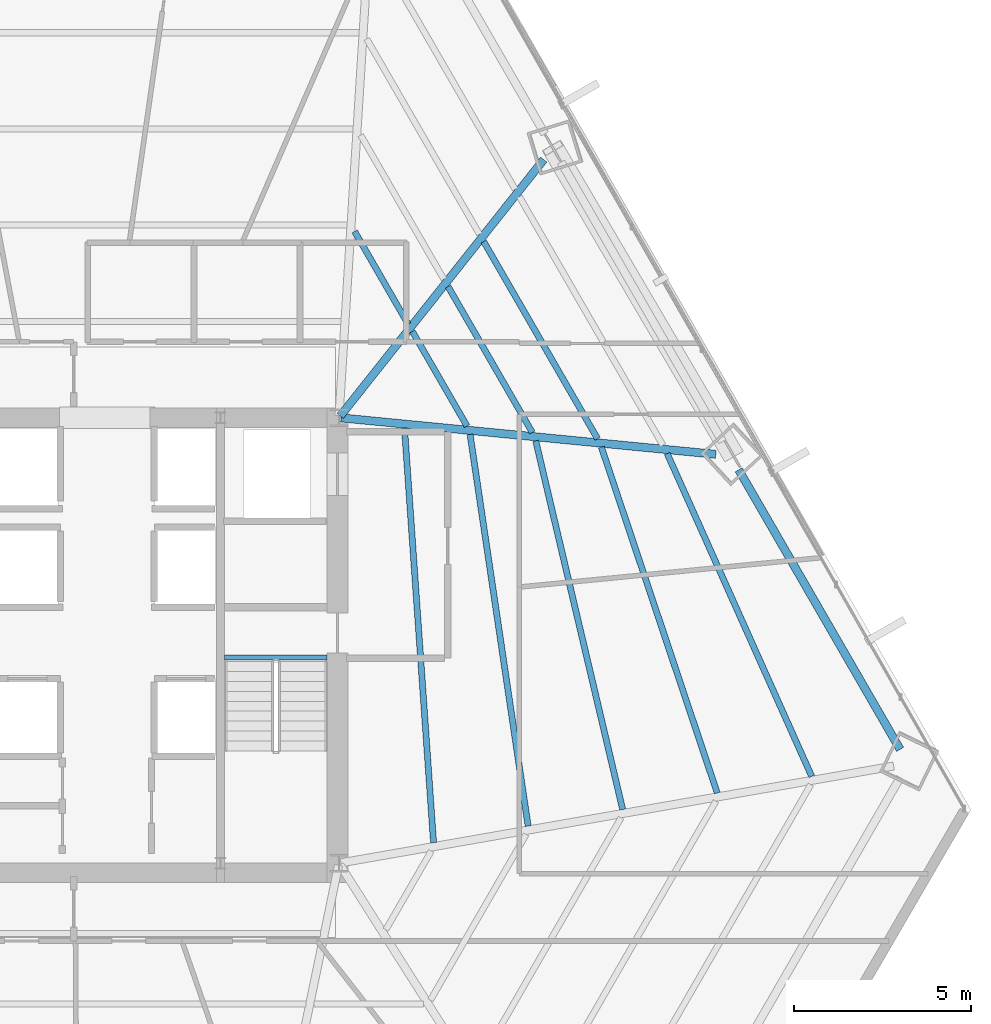
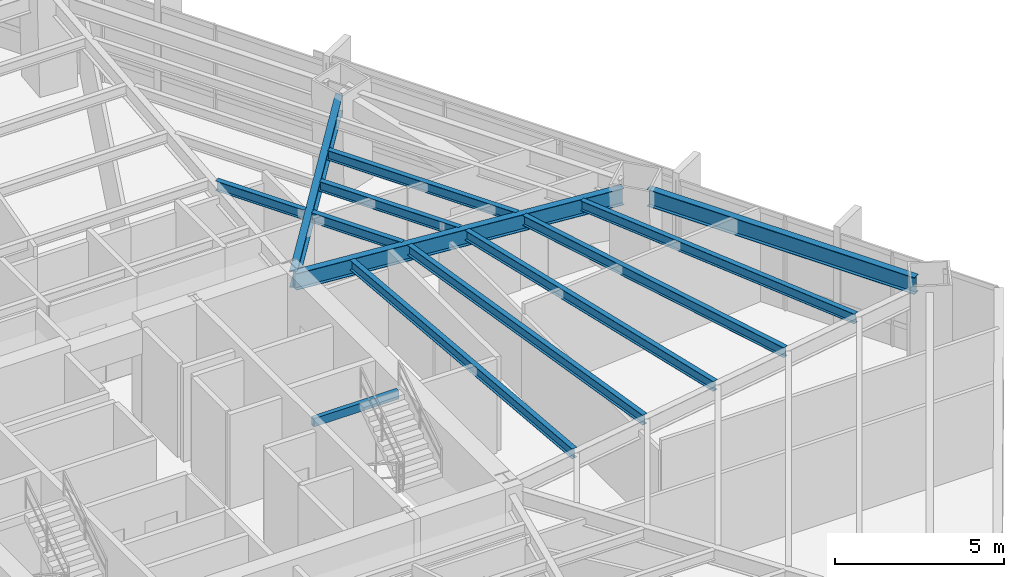
# One storey, part 20 of 34: 13 beams.
"""IFC4 building model written with IfcOpenShell, lengths in metres."""

import ifcopenshell
import ifcopenshell.guid

model = None  # the IFC model being written
_history = None  # IfcOwnerHistory: only IFC2X3 demands one
_inside = {}  # id of a spatial element -> (the spatial element, [elements in it])
_under = {}  # id of a project, library or spatial element -> (it, [spatial elements below it])
_declared = {}  # id of a project -> (the project, [libraries it declares])
_typed = {}  # id of a type object -> (the type object, [elements of that type])
_made_of = {}  # id of a material, layer set ... -> (it, [elements and type objects made of it])


def new_model(schema):
    """Start an empty IFC model of exactly this schema.

    Asked for "IFC4X3", IfcOpenShell would pick the latest addendum, in which some entities
    have other attributes; the version numbers below select the first issue.
    IFC2X3 requires an IfcOwnerHistory on every rooted entity: one is made here for all.
    """
    global model, _history
    if schema == "IFC4X3":
        model = ifcopenshell.file(schema_version=(4, 3, 0, 0))
    else:
        model = ifcopenshell.file(schema=schema)
    _inside.clear()
    _under.clear()
    _declared.clear()
    _typed.clear()
    _made_of.clear()
    _history = None
    if model.schema == "IFC2X3":
        org = make("IfcOrganization", Name="unknown")
        user = make(
            "IfcPersonAndOrganization",
            ThePerson=make("IfcPerson", FamilyName="unknown"),
            TheOrganization=org,
        )
        app = make(
            "IfcApplication",
            ApplicationDeveloper=org,
            Version="unknown",
            ApplicationFullName="unknown",
            ApplicationIdentifier="unknown",
        )
        _history = make(
            "IfcOwnerHistory",
            OwningUser=user,
            OwningApplication=app,
            ChangeAction="ADDED",
            CreationDate=0,
        )
    return model


def make(cls, **values):
    """One entity of the class cls with the attributes given. An attribute that is None is left unset."""
    return model.create_entity(
        cls, **{name: value for name, value in values.items() if value is not None}
    )


def rooted(cls, **values):
    """An entity with a GlobalId (a new one), such as an element, a storey or a relation."""
    return make(cls, GlobalId=ifcopenshell.guid.new(), OwnerHistory=_history, **values)


def si_unit(unit_type, name, prefix=None):
    """IfcSIUnit, for example si_unit("LENGTHUNIT", "METRE", prefix="MILLI")."""
    return make("IfcSIUnit", UnitType=unit_type, Prefix=prefix, Name=name)


def assignment(units):
    """IfcUnitAssignment: the units of a project."""
    return None if units is None else make("IfcUnitAssignment", Units=units)


def point(xyz):
    """IfcCartesianPoint."""
    return None if xyz is None else make("IfcCartesianPoint", Coordinates=xyz)


def direction(xyz):
    """IfcDirection."""
    return None if xyz is None else make("IfcDirection", DirectionRatios=xyz)


def frame(location, z_axis=None, x_axis=None):
    """IfcAxis2Placement3D, a coordinate frame: its origin and axes. An axis left out is left unset."""
    return make(
        "IfcAxis2Placement3D",
        Location=point(location),
        Axis=direction(z_axis),
        RefDirection=direction(x_axis),
    )


def frame_2d(location, x_axis=None):
    """IfcAxis2Placement2D, a coordinate frame in the plane: its origin and x axis."""
    return make(
        "IfcAxis2Placement2D", Location=point(location), RefDirection=direction(x_axis)
    )


def origin():
    """The frame at (0, 0, 0) with its axes left unset."""
    return frame((0.0, 0.0, 0.0))


def origin_2d():
    """The frame at (0, 0) in the plane with its x axis left unset."""
    return frame_2d((0.0, 0.0))


def place(relative_to, where):
    """IfcLocalPlacement: puts the frame where relative to a parent placement (None: the world)."""
    return make(
        "IfcLocalPlacement", PlacementRelTo=relative_to, RelativePlacement=where
    )


def context(
    kind, dimensions, precision=None, world=None, true_north=None, identifier=None
):
    """IfcGeometricRepresentationContext, for example the 3D "Model" context."""
    return make(
        "IfcGeometricRepresentationContext",
        ContextIdentifier=identifier,
        ContextType=kind,
        CoordinateSpaceDimension=dimensions,
        Precision=precision,
        WorldCoordinateSystem=world,
        TrueNorth=true_north,
    )


def subcontext(parent, identifier, kind, view, scale=None):
    """IfcGeometricRepresentationSubContext, for example "Body" below "Model"."""
    return make(
        "IfcGeometricRepresentationSubContext",
        ContextIdentifier=identifier,
        ContextType=kind,
        ParentContext=parent,
        TargetScale=scale,
        TargetView=view,
    )


def project(units=None, contexts=None):
    """IfcProject with its units and contexts."""
    return rooted(
        "IfcProject",
        Name="project",
        RepresentationContexts=contexts,
        UnitsInContext=assignment(units),
    )


def spatial(cls, under=None, at=None, **own):
    """A site, building, storey or space (cls), placed at a placement, below another one or the project."""
    s = rooted(cls, ObjectPlacement=at, **own)
    if under is not None:
        _under.setdefault(under.id(), (under, []))[1].append(s)
    return s


def profile(cls, at=None, kind="AREA", **sizes):
    """A parametric profile (cls). Its sizes go by their IFC names, for example OverallWidth=200.0."""
    return make(cls, ProfileType=kind, Position=at, **sizes)


def hollow_rectangle(**sizes):
    """IfcRectangleHollowProfileDef."""
    return profile("IfcRectangleHollowProfileDef", **sizes)


def i_section(**sizes):
    """IfcIShapeProfileDef."""
    return profile("IfcIShapeProfileDef", **sizes)


def extrude(swept, where, along, depth):
    """IfcExtrudedAreaSolid: the profile swept, set in the frame where, extruded along a direction by depth."""
    return make(
        "IfcExtrudedAreaSolid",
        SweptArea=swept,
        Position=where,
        ExtrudedDirection=direction(along),
        Depth=depth,
    )


def shape(context_of_items, identifier, shape_type, items):
    """IfcShapeRepresentation: the items that make up one representation, for example the "Body"."""
    return make(
        "IfcShapeRepresentation",
        ContextOfItems=context_of_items,
        RepresentationIdentifier=identifier,
        RepresentationType=shape_type,
        Items=items,
    )


def source(mapping_origin, context_of_items, identifier, shape_type, items):
    """IfcRepresentationMap: a shape defined once, which mapped items show again and again."""
    return make(
        "IfcRepresentationMap",
        MappingOrigin=mapping_origin,
        MappedRepresentation=shape(context_of_items, identifier, shape_type, items),
    )


def transform(
    local_origin,
    x_axis=None,
    y_axis=None,
    z_axis=None,
    scale=None,
    scale2=None,
    scale3=None,
    uniform=True,
):
    """IfcCartesianTransformationOperator3D, or its non-uniform kind. x_axis, y_axis, z_axis: its Axis1, 2, 3."""
    if uniform:
        return make(
            "IfcCartesianTransformationOperator3D",
            Axis1=direction(x_axis),
            Axis2=direction(y_axis),
            LocalOrigin=point(local_origin),
            Scale=scale,
            Axis3=direction(z_axis),
        )
    return make(
        "IfcCartesianTransformationOperator3DnonUniform",
        Axis1=direction(x_axis),
        Axis2=direction(y_axis),
        LocalOrigin=point(local_origin),
        Scale=scale,
        Axis3=direction(z_axis),
        Scale2=scale2,
        Scale3=scale3,
    )


def mapped(mapping_source, mapping_target):
    """IfcMappedItem: shows the shape of a source again, moved by a transform."""
    return make(
        "IfcMappedItem", MappingSource=mapping_source, MappingTarget=mapping_target
    )


def material(Name=None, Category=None):
    """IfcMaterial."""
    return make("IfcMaterial", Name=Name, Category=Category)


def material_profile(
    of_material, cross_section, Name=None, Category=None, Priority=None
):
    """IfcMaterialProfile: a cross section and its material."""
    return make(
        "IfcMaterialProfile",
        Name=Name,
        Material=of_material,
        Profile=cross_section,
        Priority=Priority,
        Category=Category,
    )


def profile_set(profiles, Name=None, composite=None):
    """IfcMaterialProfileSet."""
    return make(
        "IfcMaterialProfileSet",
        Name=Name,
        MaterialProfiles=profiles,
        CompositeProfile=composite,
    )


def made_of(thing, what):
    """Note that an element or type object is made of a material, layer set ...; save() writes the relation."""
    if what is not None:
        _made_of.setdefault(what.id(), (what, []))[1].append(thing)
    return thing


def type_object(cls, material=None, **own):
    """A type object (cls), such as IfcWallType, which elements share."""
    return made_of(rooted(cls, **own), material)


def type_shapes(of_type, sources):
    """Give a type object the sources (RepresentationMaps) that its elements show as mapped items."""
    of_type.RepresentationMaps = sources


def element(
    cls,
    number,
    at=None,
    inside=None,
    cuts=None,
    type_object=None,
    material=None,
    context=None,
    identifier="Body",
    shape_type=None,
    held_by="IfcProductDefinitionShape",
    body=None,
    shapes=None,
    **own,
):
    """One element of the class cls, such as IfcWall. Its Tag is "e" and its number.

    at: its placement. inside: the storey or other place that contains it. cuts: it is an
    opening in that element (IfcRelVoidsElement). A single representation is given by context,
    identifier, shape_type and body (its items); several are given by shapes. held_by: the class
    of the entity that holds the representations. save() writes the other relations.
    """
    e = rooted(cls, Tag="e%d" % number, ObjectPlacement=at, **own)
    if body is not None:
        shapes = [shape(context, identifier, shape_type, body)]
    if shapes is not None:
        e.Representation = make(held_by, Representations=shapes)
    if inside is not None:
        _inside.setdefault(inside.id(), (inside, []))[1].append(e)
    if cuts is not None:
        rooted(
            "IfcRelVoidsElement", RelatingBuildingElement=cuts, RelatedOpeningElement=e
        )
    if type_object is not None:
        _typed.setdefault(type_object.id(), (type_object, []))[1].append(e)
    return made_of(e, material)


def aggregate(whole, parts):
    """IfcRelAggregates: a whole, such as a stair, and the parts it consists of."""
    return rooted("IfcRelAggregates", RelatingObject=whole, RelatedObjects=parts)


def save(model, path):
    """Write the relations noted so far, then the file.

    IfcRelAggregates (storeys below a building ...), IfcRelContainedInSpatialStructure (elements
    in a storey), IfcRelDefinesByType, IfcRelAssociatesMaterial and IfcRelDeclares: one each for
    every whole, place, type object, material and project.
    """
    for whole, parts in _under.values():
        aggregate(whole, parts)
    for where, things in _inside.values():
        rooted(
            "IfcRelContainedInSpatialStructure",
            RelatedElements=things,
            RelatingStructure=where,
        )
    for kind, things in _typed.values():
        rooted("IfcRelDefinesByType", RelatedObjects=things, RelatingType=kind)
    for what, things in _made_of.values():
        rooted("IfcRelAssociatesMaterial", RelatedObjects=things, RelatingMaterial=what)
    for by, libraries in _declared.values():
        rooted("IfcRelDeclares", RelatingContext=by, RelatedDefinitions=libraries)
    model.write(path)


model = new_model("IFC4")

# Units and contexts
model_context = context("Model", 3, precision=1e-05, world=origin(), true_north=direction((0.0, 1.0)))
body_context = subcontext(model_context, "Body", "Model", "MODEL_VIEW")
ifc_project = project(units=[si_unit("LENGTHUNIT", "METRE"), si_unit("AREAUNIT", "SQUARE_METRE"), si_unit("VOLUMEUNIT", "CUBIC_METRE"), si_unit("PLANEANGLEUNIT", "RADIAN"), si_unit("MASSUNIT", "GRAM", prefix="KILO")], contexts=[model_context])

# Site, building, storey
site_placement = place(None, origin())
site = spatial("IfcSite", under=ifc_project, at=site_placement, CompositionType="ELEMENT")
building_placement = place(site_placement, origin())
building = spatial("IfcBuilding", under=site, at=building_placement, Name="Caelisora Broadcast Tower", CompositionType="ELEMENT")
storey_placement = place(building_placement, frame((0.0, 0.0, 56.800048828125)))
storey = spatial("IfcBuildingStorey", under=building, at=storey_placement, Name="L14", CompositionType="ELEMENT", Elevation=56.800048828125)

# Beams
ifc_material_1 = material(Name="Steel Grade 350 (AS/NZS 1163 C350L0)", Category="steel")
ifc_material_profile_1 = material_profile(ifc_material_1, hollow_rectangle(XDim=0.14990234375, YDim=0.300048828125, WallThickness=0.010009765625, at=origin_2d()), Name="Steel Grade 350 (AS/NZS 1163 C350L0)")
ifc_profile_set_1 = profile_set([ifc_material_profile_1], Name="Steel Grade 350 (AS/NZS 1163 C350L0)")
beam_type_1 = type_object("IfcBeamType", Name="SB05", PredefinedType="JOIST", material=ifc_profile_set_1)
shared_shape_1 = source(origin(), body_context, "Body", "SweptSolid", [
    extrude(hollow_rectangle(XDim=0.14990234375, YDim=0.300048828125, WallThickness=0.010009765625, at=origin_2d()), origin(), (0.0, 0.0, 1.0), 2.89990234375),
])
type_shapes(beam_type_1, [shared_shape_1])
beam_1_placement = place(storey_placement, frame((42.260009765625, 23.219970703125, 3.25), z_axis=(1.0, 0.0, 0.0), x_axis=(0.0, 1.0, 0.0)))
element("IfcBeam", 1, at=beam_1_placement, inside=storey, type_object=beam_type_1, Name="L14 beam SB05", PredefinedType="JOIST", context=body_context, shape_type="MappedRepresentation", body=[
    mapped(shared_shape_1, transform((0.0, 0.0, 0.0), scale=1.0)),
])
ifc_material_2 = material(Name="Steel Grade 350 (AS/NZS 3679.1)", Category="steel")
ifc_material_profile_2 = material_profile(ifc_material_2, i_section(OverallWidth=0.22900390625, OverallDepth=0.611572265625, WebThickness=0.011962890625, FlangeThickness=0.01953125, at=origin_2d()), Name="Steel Grade 350 (AS/NZS 3679.1)")
ifc_profile_set_2 = profile_set([ifc_material_profile_2], Name="Steel Grade 350 (AS/NZS 3679.1)")
beam_type_2 = type_object("IfcBeamType", Name="PG03", PredefinedType="BEAM", material=ifc_profile_set_2)
shared_shape_2 = source(origin(), body_context, "Body", "SweptSolid", [
    extrude(i_section(OverallWidth=0.22900390625, OverallDepth=0.611572265625, WebThickness=0.011962890625, FlangeThickness=0.01953125, at=origin_2d()), origin(), (0.0, 0.0, 1.0), 9.129638671875),
])
type_shapes(beam_type_2, [shared_shape_2])
beam_2_placement = place(storey_placement, frame((61.37158203125, 20.617919921875, 3.09423828125), z_axis=(-0.500010259273, 0.866019480509, 0.0), x_axis=(-0.866019480509, -0.500010259273, 0.0)))
element("IfcBeam", 2, at=beam_2_placement, inside=storey, type_object=beam_type_2, Name="L14 beam PG03", PredefinedType="BEAM", context=body_context, shape_type="MappedRepresentation", body=[
    mapped(shared_shape_2, transform((0.0, 0.0, 0.0), scale=1.0)),
])
ifc_material_profile_3 = material_profile(ifc_material_2, i_section(OverallWidth=0.22802734375, OverallDepth=0.602294921875, WebThickness=0.010498046875, FlangeThickness=0.014892578125, at=origin_2d()), Name="Steel Grade 350 (AS/NZS 3679.1)")
ifc_profile_set_3 = profile_set([ifc_material_profile_3], Name="Steel Grade 350 (AS/NZS 3679.1)")
beam_type_3 = type_object("IfcBeamType", Name="PG04", PredefinedType="BEAM", material=ifc_profile_set_3)
shared_shape_3 = source(origin(), body_context, "Body", "SweptSolid", [
    extrude(i_section(OverallWidth=0.22802734375, OverallDepth=0.602294921875, WebThickness=0.010498046875, FlangeThickness=0.014892578125, at=origin_2d()), origin(), (0.0, 0.0, 1.0), 9.255615234375),
])
beam_3_placement = place(storey_placement, frame((45.537353515625, 30.047119140625, 3.098876953125), z_axis=(0.621592351282, 0.783340889286, 0.0), x_axis=(-0.783340889286, 0.621592351282, 0.0)))
element("IfcBeam", 3, at=beam_3_placement, inside=storey, type_object=beam_type_3, Name="L14 beam PG04", PredefinedType="BEAM", context=body_context, shape_type="MappedRepresentation", body=[
    mapped(shared_shape_3, transform((0.0, 0.0, 0.0), scale=1.0)),
])
shared_shape_4 = source(origin(), body_context, "Body", "SweptSolid", [
    extrude(i_section(OverallWidth=0.22802734375, OverallDepth=0.602294921875, WebThickness=0.010498046875, FlangeThickness=0.014892578125, at=origin_2d()), origin(), (0.0, 0.0, 1.0), 10.64892578125),
])
type_shapes(beam_type_3, [shared_shape_3, shared_shape_4])
beam_4_placement = place(storey_placement, frame((45.559814453125, 29.994140625, 3.098876953125), z_axis=(0.995304309224, -0.096795310012, 0.0), x_axis=(0.096795310012, 0.995304309224, 0.0)))
element("IfcBeam", 4, at=beam_4_placement, inside=storey, type_object=beam_type_3, Name="L14 beam PG04", PredefinedType="BEAM", context=body_context, shape_type="MappedRepresentation", body=[
    mapped(shared_shape_4, transform((0.0, 0.0, 0.0), scale=1.0)),
])
ifc_material_profile_4 = material_profile(ifc_material_2, i_section(OverallWidth=0.172119140625, OverallDepth=0.358642578125, WebThickness=0.008056640625, FlangeThickness=0.012939453125, at=origin_2d()), Name="Steel Grade 350 (AS/NZS 3679.1)")
ifc_profile_set_4 = profile_set([ifc_material_profile_4], Name="Steel Grade 350 (AS/NZS 3679.1)")
beam_type_4 = type_object("IfcBeamType", Name="SB02", PredefinedType="JOIST", material=ifc_profile_set_4)
shared_shape_5 = source(origin(), body_context, "Body", "SweptSolid", [
    extrude(i_section(OverallWidth=0.172119140625, OverallDepth=0.358642578125, WebThickness=0.008056640625, FlangeThickness=0.012939453125, at=origin_2d()), origin(), (0.0, 0.0, 1.0), 3.02734375),
])
beam_5_placement = place(storey_placement, frame((47.45751953125, 32.645751953125, 3.220703125), z_axis=(-0.499990048099, 0.866031149441, 0.0), x_axis=(-0.866031149441, -0.499990048099, 0.0)))
element("IfcBeam", 5, at=beam_5_placement, inside=storey, type_object=beam_type_4, Name="L14 beam SB02", PredefinedType="JOIST", context=body_context, shape_type="MappedRepresentation", body=[
    mapped(shared_shape_5, transform((0.0, 0.0, 0.0), scale=1.0)),
])
shared_shape_6 = source(origin(), body_context, "Body", "SweptSolid", [
    extrude(i_section(OverallWidth=0.172119140625, OverallDepth=0.358642578125, WebThickness=0.008056640625, FlangeThickness=0.012939453125, at=origin_2d()), origin(), (0.0, 0.0, 1.0), 3.093505859375),
])
beam_6_placement = place(storey_placement, frame((49.123779296875, 29.759765625, 3.220703125), z_axis=(-0.500043533946, 0.86600026799, 0.0), x_axis=(-0.86600026799, -0.500043533946, 0.0)))
element("IfcBeam", 6, at=beam_6_placement, inside=storey, type_object=beam_type_4, Name="L14 beam SB02", PredefinedType="JOIST", context=body_context, shape_type="MappedRepresentation", body=[
    mapped(shared_shape_6, transform((0.0, 0.0, 0.0), scale=1.0)),
])
shared_shape_7 = source(origin(), body_context, "Body", "SweptSolid", [
    extrude(i_section(OverallWidth=0.172119140625, OverallDepth=0.358642578125, WebThickness=0.008056640625, FlangeThickness=0.012939453125, at=origin_2d()), origin(), (0.0, 0.0, 1.0), 4.768310546875),
])
beam_7_placement = place(storey_placement, frame((50.9697265625, 29.580078125, 3.220703125), z_axis=(-0.499966215292, 0.866044908516, 0.0), x_axis=(-0.866044908516, -0.499966215292, 0.0)))
element("IfcBeam", 7, at=beam_7_placement, inside=storey, type_object=beam_type_4, Name="L14 beam SB02", PredefinedType="JOIST", context=body_context, shape_type="MappedRepresentation", body=[
    mapped(shared_shape_7, transform((0.0, 0.0, 0.0), scale=1.0)),
])
shared_shape_8 = source(origin(), body_context, "Body", "SweptSolid", [
    extrude(i_section(OverallWidth=0.172119140625, OverallDepth=0.358642578125, WebThickness=0.008056640625, FlangeThickness=0.012939453125, at=origin_2d()), origin(), (0.0, 0.0, 1.0), 6.443359375),
])
beam_8_placement = place(storey_placement, frame((52.81591796875, 29.400634765625, 3.220703125), z_axis=(-0.500002337291, 0.866024054344, 0.0), x_axis=(-0.866024054344, -0.500002337291, 0.0)))
element("IfcBeam", 8, at=beam_8_placement, inside=storey, type_object=beam_type_4, Name="L14 beam SB02", PredefinedType="JOIST", context=body_context, shape_type="MappedRepresentation", body=[
    mapped(shared_shape_8, transform((0.0, 0.0, 0.0), scale=1.0)),
])
shared_shape_9 = source(origin(), body_context, "Body", "SweptSolid", [
    extrude(i_section(OverallWidth=0.172119140625, OverallDepth=0.358642578125, WebThickness=0.008056640625, FlangeThickness=0.012939453125, at=origin_2d()), origin(), (0.0, 0.0, 1.0), 11.755859375),
])
beam_9_placement = place(storey_placement, frame((48.17578125, 17.981201171875, 3.220703125), z_axis=(-0.069903939848, 0.997553727472, 0.0), x_axis=(-0.997553727472, -0.069903939848, 0.0)))
element("IfcBeam", 9, at=beam_9_placement, inside=storey, type_object=beam_type_4, Name="L14 beam SB02", PredefinedType="JOIST", context=body_context, shape_type="MappedRepresentation", body=[
    mapped(shared_shape_9, transform((0.0, 0.0, 0.0), scale=1.0)),
])
shared_shape_10 = source(origin(), body_context, "Body", "SweptSolid", [
    extrude(i_section(OverallWidth=0.172119140625, OverallDepth=0.358642578125, WebThickness=0.008056640625, FlangeThickness=0.012939453125, at=origin_2d()), origin(), (0.0, 0.0, 1.0), 11.198974609375),
])
beam_10_placement = place(storey_placement, frame((50.850830078125, 18.44970703125, 3.220703125), z_axis=(-0.146607917039, 0.989194681881, 0.0), x_axis=(-0.989194681881, -0.146607917039, 0.0)))
element("IfcBeam", 10, at=beam_10_placement, inside=storey, type_object=beam_type_4, Name="L14 beam SB02", PredefinedType="JOIST", context=body_context, shape_type="MappedRepresentation", body=[
    mapped(shared_shape_10, transform((0.0, 0.0, 0.0), scale=1.0)),
])
shared_shape_11 = source(origin(), body_context, "Body", "SweptSolid", [
    extrude(i_section(OverallWidth=0.172119140625, OverallDepth=0.358642578125, WebThickness=0.008056640625, FlangeThickness=0.012939453125, at=origin_2d()), origin(), (0.0, 0.0, 1.0), 10.71533203125),
])
beam_11_placement = place(storey_placement, frame((53.525390625, 18.91796875, 3.220703125), z_axis=(-0.229594254708, 0.973286431738, 0.0), x_axis=(-0.973286431738, -0.229594254708, 0.0)))
element("IfcBeam", 11, at=beam_11_placement, inside=storey, type_object=beam_type_4, Name="L14 beam SB02", PredefinedType="JOIST", context=body_context, shape_type="MappedRepresentation", body=[
    mapped(shared_shape_11, transform((0.0, 0.0, 0.0), scale=1.0)),
])
shared_shape_12 = source(origin(), body_context, "Body", "SweptSolid", [
    extrude(i_section(OverallWidth=0.172119140625, OverallDepth=0.358642578125, WebThickness=0.008056640625, FlangeThickness=0.012939453125, at=origin_2d()), origin(), (0.0, 0.0, 1.0), 10.31396484375),
])
beam_12_placement = place(storey_placement, frame((56.19873046875, 19.38623046875, 3.220703125), z_axis=(-0.31759087645, 0.948227839285, 0.0), x_axis=(-0.948227839285, -0.31759087645, 0.0)))
element("IfcBeam", 12, at=beam_12_placement, inside=storey, type_object=beam_type_4, Name="L14 beam SB02", PredefinedType="JOIST", context=body_context, shape_type="MappedRepresentation", body=[
    mapped(shared_shape_12, transform((0.0, 0.0, 0.0), scale=1.0)),
])
shared_shape_13 = source(origin(), body_context, "Body", "SweptSolid", [
    extrude(i_section(OverallWidth=0.172119140625, OverallDepth=0.358642578125, WebThickness=0.008056640625, FlangeThickness=0.012939453125, at=origin_2d()), origin(), (0.0, 0.0, 1.0), 10.00439453125),
])
type_shapes(beam_type_4, [shared_shape_5, shared_shape_6, shared_shape_7, shared_shape_8, shared_shape_9, shared_shape_10, shared_shape_11, shared_shape_12, shared_shape_13])
beam_13_placement = place(storey_placement, frame((58.87109375, 19.854248046875, 3.220703125), z_axis=(-0.408629844276, 0.912700197418, 0.0), x_axis=(-0.912700197418, -0.408629844276, 0.0)))
element("IfcBeam", 13, at=beam_13_placement, inside=storey, type_object=beam_type_4, Name="L14 beam SB02", PredefinedType="JOIST", context=body_context, shape_type="MappedRepresentation", body=[
    mapped(shared_shape_13, transform((0.0, 0.0, 0.0), scale=1.0)),
])

save(model, "model.ifc")
